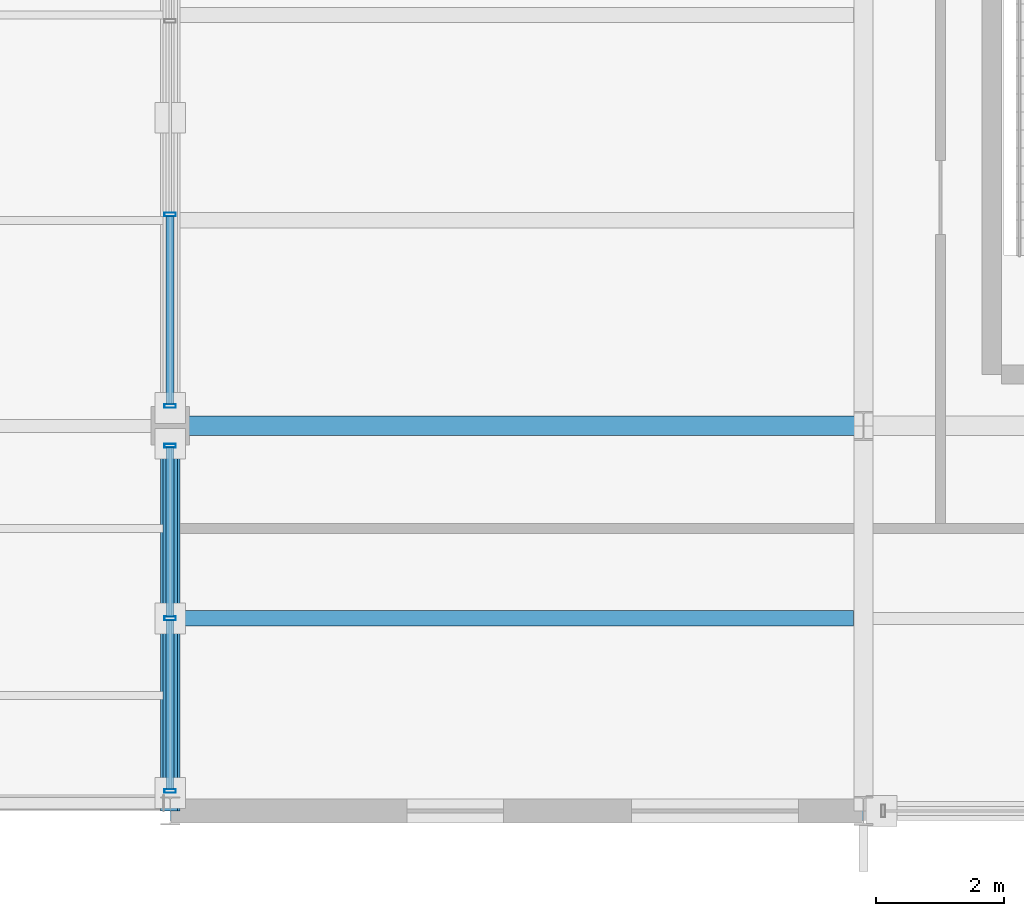
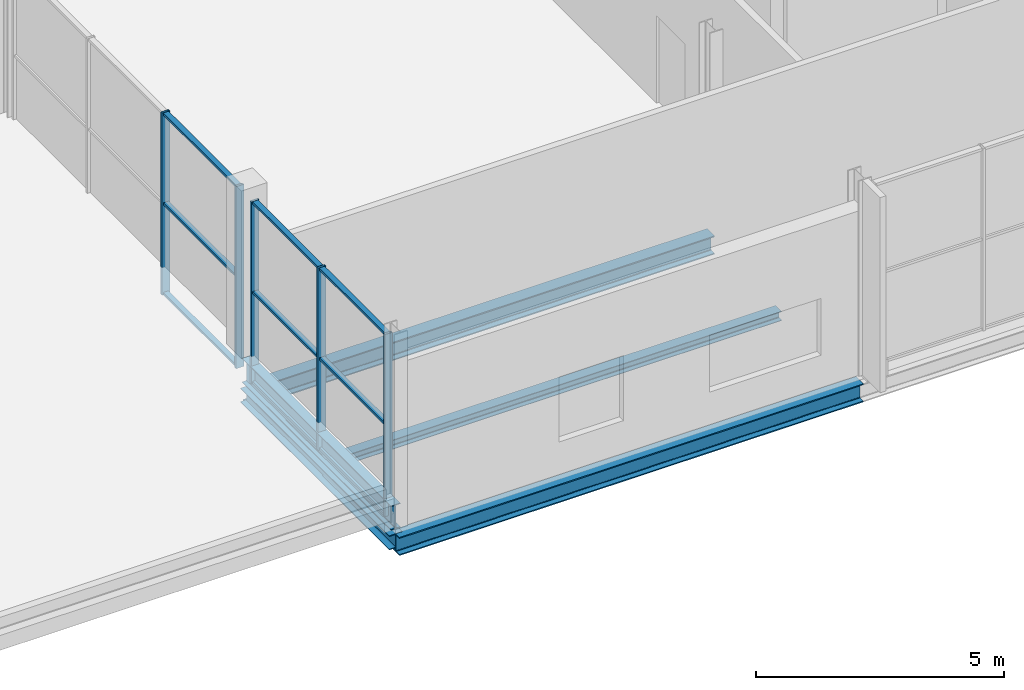
# One storey, part 97 of 159: 14 members, 5 beams, 2 elements without a shape of their own.
"""IFC4 building model written with IfcOpenShell, lengths in metres."""

from ifc_helpers import new_model, si_unit, direction, frame, origin, origin_2d, place, context, subcontext, project, spatial, hollow_rectangle, i_section, extrude, material, material_profile, profile_set, type_object, element, aggregate, save


model = new_model("IFC4")

# Units and contexts
model_context = context("Model", 3, precision=1e-05, world=origin(), true_north=direction((0.0, 1.0)))
body_context = subcontext(model_context, "Body", "Model", "MODEL_VIEW")
ifc_project = project(units=[si_unit("LENGTHUNIT", "METRE"), si_unit("AREAUNIT", "SQUARE_METRE"), si_unit("VOLUMEUNIT", "CUBIC_METRE"), si_unit("PLANEANGLEUNIT", "RADIAN"), si_unit("MASSUNIT", "GRAM", prefix="KILO")], contexts=[model_context])

# Site, building, storey
site_placement = place(None, origin())
site = spatial("IfcSite", under=ifc_project, at=site_placement, CompositionType="ELEMENT")
building_placement = place(site_placement, origin())
building = spatial("IfcBuilding", under=site, at=building_placement, Name="Merenkruunu Market Hall", CompositionType="ELEMENT")
storey_placement = place(building_placement, frame((0.0, 0.0, 5.39990234375)))
storey = spatial("IfcBuildingStorey", under=building, at=storey_placement, Name="L01", CompositionType="ELEMENT", Elevation=5.39990234375)

# Curtain wall, members
ifc_material_1 = material(Name="Powder-coated aluminium", Category="aluminium")
curtain_wall_type = type_object("IfcCurtainWallType", Name="Glazed Curtain Wall CW14", PredefinedType="USERDEFINED", material=ifc_material_1)
curtain_wall_1_placement = place(storey_placement, origin())
curtain_wall_1 = element("IfcCurtainWall", 1, at=curtain_wall_1_placement, inside=storey, type_object=curtain_wall_type, Name="CW-L01-CWM02-211", ObjectType="GLAZED_FACADE", PredefinedType="USERDEFINED")
ifc_material_profile_1 = material_profile(ifc_material_1, hollow_rectangle(XDim=0.06005859375, YDim=0.179931640625, WallThickness=0.00390625, at=origin_2d()), Name="ALU 60x180x4")
ifc_profile_set_1 = profile_set([ifc_material_profile_1], Name="Powder-coated aluminium")
member_type_1 = type_object("IfcMemberType", Name="Curtain Wall Mullion CWM02", PredefinedType="MULLION", material=ifc_profile_set_1)
member_1_placement = place(storey_placement, frame((148.800048828125, 0.31005859375, 0.0), z_axis=(0.0, 0.0, 1.0), x_axis=(0.0, 1.0, 0.0)))
member_1 = element("IfcMember", 2, at=member_1_placement, type_object=member_type_1, Name="CW14 mullion 1", PredefinedType="MULLION", context=body_context, shape_type="SweptSolid", body=[
    extrude(hollow_rectangle(XDim=0.06005859375, YDim=0.179931640625, WallThickness=0.00390625, at=origin_2d()), origin(), (0.0, 0.0, 1.0), 4.47998046875),
])
member_2_placement = place(storey_placement, frame((148.800048828125, 3.0, 0.0), z_axis=(0.0, 0.0, 1.0), x_axis=(0.0, 1.0, 0.0)))
member_2 = element("IfcMember", 3, at=member_2_placement, type_object=member_type_1, Name="CW14 mullion 2", PredefinedType="MULLION", context=body_context, shape_type="SweptSolid", body=[
    extrude(hollow_rectangle(XDim=0.06005859375, YDim=0.179931640625, WallThickness=0.00390625, at=origin_2d()), origin(), (0.0, 0.0, 1.0), 4.47998046875),
])
member_3_placement = place(storey_placement, frame((148.800048828125, 5.68994140625, 0.0), z_axis=(0.0, 0.0, 1.0), x_axis=(0.0, 1.0, 0.0)))
member_3 = element("IfcMember", 4, at=member_3_placement, type_object=member_type_1, Name="CW14 mullion 3", PredefinedType="MULLION", context=body_context, shape_type="SweptSolid", body=[
    extrude(hollow_rectangle(XDim=0.06005859375, YDim=0.179931640625, WallThickness=0.00390625, at=origin_2d()), origin(), (0.0, 0.0, 1.0), 4.47998046875),
])

curtain_wall_2_placement = place(storey_placement, origin())
curtain_wall_2 = element("IfcCurtainWall", 5, at=curtain_wall_2_placement, inside=storey, type_object=curtain_wall_type, Name="CW-L01-CWM02-212", ObjectType="GLAZED_FACADE", PredefinedType="USERDEFINED")
member_4_placement = place(storey_placement, frame((148.800048828125, 6.31005859375, 0.0), z_axis=(0.0, 0.0, 1.0), x_axis=(0.0, 1.0, 0.0)))
member_4 = element("IfcMember", 6, at=member_4_placement, type_object=member_type_1, Name="CW14 mullion 1", PredefinedType="MULLION", context=body_context, shape_type="SweptSolid", body=[
    extrude(hollow_rectangle(XDim=0.06005859375, YDim=0.179931640625, WallThickness=0.00390625, at=origin_2d()), origin(), (0.0, 0.0, 1.0), 4.47998046875),
])
member_5_placement = place(storey_placement, frame((148.800048828125, 9.293212890625, 0.0), z_axis=(0.0, 0.0, 1.0), x_axis=(0.0, 1.0, 0.0)))
member_5 = element("IfcMember", 7, at=member_5_placement, type_object=member_type_1, Name="CW14 mullion 2", PredefinedType="MULLION", context=body_context, shape_type="SweptSolid", body=[
    extrude(hollow_rectangle(XDim=0.06005859375, YDim=0.179931640625, WallThickness=0.00390625, at=origin_2d()), origin(), (0.0, 0.0, 1.0), 4.47998046875),
])

# Member
ifc_material_profile_2 = material_profile(ifc_material_1, hollow_rectangle(XDim=0.06005859375, YDim=0.125, WallThickness=0.00390625, at=origin_2d()), Name="ALU 60x125x4")
ifc_profile_set_2 = profile_set([ifc_material_profile_2], Name="Powder-coated aluminium")
member_type_2 = type_object("IfcMemberType", Name="Curtain Wall Transom CWT01", PredefinedType="USERDEFINED", material=ifc_profile_set_2)
member_6_placement = place(storey_placement, frame((148.800048828125, 0.340087890625, 0.030029296875), z_axis=(0.0, 1.0, 0.0), x_axis=(0.0, 0.0, 1.0)))
member_6 = element("IfcMember", 8, at=member_6_placement, type_object=member_type_2, Name="CW14 transom 1.1", ObjectType="TRANSOM", PredefinedType="USERDEFINED", context=body_context, shape_type="SweptSolid", body=[
    extrude(hollow_rectangle(XDim=0.06005859375, YDim=0.125, WallThickness=0.00390625, at=origin_2d()), origin(), (0.0, 0.0, 1.0), 2.6298828125),
])

member_7_placement = place(storey_placement, frame((148.800048828125, 0.340087890625, 2.239990234375), z_axis=(0.0, 1.0, 0.0), x_axis=(0.0, 0.0, 1.0)))
member_7 = element("IfcMember", 9, at=member_7_placement, type_object=member_type_2, Name="CW14 transom 1.2", ObjectType="TRANSOM", PredefinedType="USERDEFINED", context=body_context, shape_type="SweptSolid", body=[
    extrude(hollow_rectangle(XDim=0.06005859375, YDim=0.125, WallThickness=0.00390625, at=origin_2d()), origin(), (0.0, 0.0, 1.0), 2.6298828125),
])

member_8_placement = place(storey_placement, frame((148.800048828125, 0.340087890625, 4.4501953125), z_axis=(0.0, 1.0, 0.0), x_axis=(0.0, 0.0, 1.0)))
member_8 = element("IfcMember", 10, at=member_8_placement, type_object=member_type_2, Name="CW14 transom 1.3", ObjectType="TRANSOM", PredefinedType="USERDEFINED", context=body_context, shape_type="SweptSolid", body=[
    extrude(hollow_rectangle(XDim=0.06005859375, YDim=0.125, WallThickness=0.00390625, at=origin_2d()), origin(), (0.0, 0.0, 1.0), 2.6298828125),
])

member_9_placement = place(storey_placement, frame((148.800048828125, 3.030029296875, 0.030029296875), z_axis=(0.0, 1.0, 0.0), x_axis=(0.0, 0.0, 1.0)))
member_9 = element("IfcMember", 11, at=member_9_placement, type_object=member_type_2, Name="CW14 transom 2.1", ObjectType="TRANSOM", PredefinedType="USERDEFINED", context=body_context, shape_type="SweptSolid", body=[
    extrude(hollow_rectangle(XDim=0.06005859375, YDim=0.125, WallThickness=0.00390625, at=origin_2d()), origin(), (0.0, 0.0, 1.0), 2.6298828125),
])

member_10_placement = place(storey_placement, frame((148.800048828125, 3.030029296875, 2.239990234375), z_axis=(0.0, 1.0, 0.0), x_axis=(0.0, 0.0, 1.0)))
member_10 = element("IfcMember", 12, at=member_10_placement, type_object=member_type_2, Name="CW14 transom 2.2", ObjectType="TRANSOM", PredefinedType="USERDEFINED", context=body_context, shape_type="SweptSolid", body=[
    extrude(hollow_rectangle(XDim=0.06005859375, YDim=0.125, WallThickness=0.00390625, at=origin_2d()), origin(), (0.0, 0.0, 1.0), 2.6298828125),
])

member_11_placement = place(storey_placement, frame((148.800048828125, 3.030029296875, 4.4501953125), z_axis=(0.0, 1.0, 0.0), x_axis=(0.0, 0.0, 1.0)))
member_11 = element("IfcMember", 13, at=member_11_placement, type_object=member_type_2, Name="CW14 transom 2.3", ObjectType="TRANSOM", PredefinedType="USERDEFINED", context=body_context, shape_type="SweptSolid", body=[
    extrude(hollow_rectangle(XDim=0.06005859375, YDim=0.125, WallThickness=0.00390625, at=origin_2d()), origin(), (0.0, 0.0, 1.0), 2.6298828125),
])

aggregate(curtain_wall_1, [member_1, member_2, member_3, member_6, member_7, member_8, member_9, member_10, member_11])

member_12_placement = place(storey_placement, frame((148.800048828125, 6.340087890625, 0.030029296875), z_axis=(0.0, 1.0, 0.0), x_axis=(0.0, 0.0, 1.0)))
member_12 = element("IfcMember", 14, at=member_12_placement, type_object=member_type_2, Name="CW14 transom 1.1", ObjectType="TRANSOM", PredefinedType="USERDEFINED", context=body_context, shape_type="SweptSolid", body=[
    extrude(hollow_rectangle(XDim=0.06005859375, YDim=0.125, WallThickness=0.00390625, at=origin_2d()), origin(), (0.0, 0.0, 1.0), 2.92333984375),
])

member_13_placement = place(storey_placement, frame((148.800048828125, 6.340087890625, 2.239990234375), z_axis=(0.0, 1.0, 0.0), x_axis=(0.0, 0.0, 1.0)))
member_13 = element("IfcMember", 15, at=member_13_placement, type_object=member_type_2, Name="CW14 transom 1.2", ObjectType="TRANSOM", PredefinedType="USERDEFINED", context=body_context, shape_type="SweptSolid", body=[
    extrude(hollow_rectangle(XDim=0.06005859375, YDim=0.125, WallThickness=0.00390625, at=origin_2d()), origin(), (0.0, 0.0, 1.0), 2.92333984375),
])

member_14_placement = place(storey_placement, frame((148.800048828125, 6.340087890625, 4.4501953125), z_axis=(0.0, 1.0, 0.0), x_axis=(0.0, 0.0, 1.0)))
member_14 = element("IfcMember", 16, at=member_14_placement, type_object=member_type_2, Name="CW14 transom 1.3", ObjectType="TRANSOM", PredefinedType="USERDEFINED", context=body_context, shape_type="SweptSolid", body=[
    extrude(hollow_rectangle(XDim=0.06005859375, YDim=0.125, WallThickness=0.00390625, at=origin_2d()), origin(), (0.0, 0.0, 1.0), 2.92333984375),
])

aggregate(curtain_wall_2, [member_4, member_5, member_12, member_13, member_14])

# Beams
ifc_material_2 = material(Name="Steel S355J2", Category="steel")
ifc_material_profile_3 = material_profile(ifc_material_2, i_section(OverallWidth=0.300048828125, OverallDepth=0.449951171875, WebThickness=0.013916015625, FlangeThickness=0.02587890625, FilletRadius=0.027099609375, at=origin_2d()), Name="HEB 450")
ifc_profile_set_3 = profile_set([ifc_material_profile_3], Name="Steel S355J2")
beam_type_1 = type_object("IfcBeamType", Name="Primary Floor Girder B03", PredefinedType="BEAM", material=ifc_profile_set_3)
for number, where, z_axis, x_axis, name in (
    (17, (148.800048828125, 0.0, -0.5048828125), (1.0, 0.0, 0.0), (0.0, 1.0, 0.0), "BM-L01-B03-0466"),
    (18, (148.800048828125, 6.0, -0.5048828125), (1.0, 0.0, 0.0), (0.0, 1.0, 0.0), "BM-L01-B03-0470"),
):
    element("IfcBeam", number, at=place(storey_placement, frame(where, z_axis=z_axis, x_axis=x_axis)), inside=storey, type_object=beam_type_1, Name=name, PredefinedType="BEAM", context=body_context, shape_type="SweptSolid", body=[
        extrude(i_section(OverallWidth=0.300048828125, OverallDepth=0.449951171875, WebThickness=0.013916015625, FlangeThickness=0.02587890625, FilletRadius=0.027099609375, at=origin_2d()), origin(), (0.0, 0.0, 1.0), 10.800048828125),
    ])
ifc_material_profile_4 = material_profile(ifc_material_2, i_section(OverallWidth=0.300048828125, OverallDepth=0.35009765625, WebThickness=0.010009765625, FlangeThickness=0.017578125, FilletRadius=0.027099609375, at=origin_2d()), Name="HEA 360")
ifc_profile_set_4 = profile_set([ifc_material_profile_4], Name="Steel S355J2")
beam_type_2 = type_object("IfcBeamType", Name="Primary Floor Girder B08", PredefinedType="BEAM", material=ifc_profile_set_4)
beam_1_placement = place(storey_placement, frame((148.800048828125, 0.0, -0.454833984375), z_axis=(0.0, 1.0, 0.0), x_axis=(-1.0, 0.0, 0.0)))
element("IfcBeam", 19, at=beam_1_placement, inside=storey, type_object=beam_type_2, Name="BM-L01-B08-0615", PredefinedType="BEAM", context=body_context, shape_type="SweptSolid", body=[
    extrude(i_section(OverallWidth=0.300048828125, OverallDepth=0.35009765625, WebThickness=0.010009765625, FlangeThickness=0.017578125, FilletRadius=0.027099609375, at=origin_2d()), origin(), (0.0, 0.0, 1.0), 6.0),
])
ifc_material_3 = material(Name="Steel S355ML", Category="steel")
ifc_material_profile_5 = material_profile(ifc_material_3, i_section(OverallWidth=0.219970703125, OverallDepth=0.60009765625, WebThickness=0.011962890625, FlangeThickness=0.01904296875, FilletRadius=0.02392578125, at=origin_2d()), Name="IPE 600")
ifc_profile_set_5 = profile_set([ifc_material_profile_5], Name="Steel S355ML")
beam_type_3 = type_object("IfcBeamType", Name="Primary Floor Girder B10", PredefinedType="BEAM", material=ifc_profile_set_5)
beam_2_placement = place(storey_placement, frame((148.800048828125, 6.0, 0.14013671875), z_axis=(0.0, -1.0, 0.0), x_axis=(1.0, 0.0, 0.0)))
element("IfcBeam", 20, at=beam_2_placement, inside=storey, type_object=beam_type_3, Name="BM-L01-B10-1093", PredefinedType="BEAM", context=body_context, shape_type="SweptSolid", body=[
    extrude(i_section(OverallWidth=0.219970703125, OverallDepth=0.60009765625, WebThickness=0.011962890625, FlangeThickness=0.01904296875, FilletRadius=0.02392578125, at=origin_2d()), origin(), (0.0, 0.0, 1.0), 6.0),
])
ifc_material_profile_6 = material_profile(ifc_material_2, i_section(OverallWidth=0.239990234375, OverallDepth=0.22998046875, WebThickness=0.007568359375, FlangeThickness=0.011962890625, FilletRadius=0.02099609375, at=origin_2d()), Name="HEA 240")
ifc_profile_set_6 = profile_set([ifc_material_profile_6], Name="Steel S355J2")
beam_type_4 = type_object("IfcBeamType", Name="Secondary Floor Joist J06", PredefinedType="JOIST", material=ifc_profile_set_6)
beam_3_placement = place(storey_placement, frame((148.952880859375, 3.0, -0.39501953125), z_axis=(1.0, 0.0, 0.0), x_axis=(0.0, 1.0, 0.0)))
element("IfcBeam", 21, at=beam_3_placement, inside=storey, type_object=beam_type_4, Name="BM-L01-J06-0700", PredefinedType="JOIST", context=body_context, shape_type="SweptSolid", body=[
    extrude(i_section(OverallWidth=0.239990234375, OverallDepth=0.22998046875, WebThickness=0.007568359375, FlangeThickness=0.011962890625, FilletRadius=0.02099609375, at=origin_2d()), origin(), (0.0, 0.0, 1.0), 10.494140625),
])

save(model, "model.ifc")
